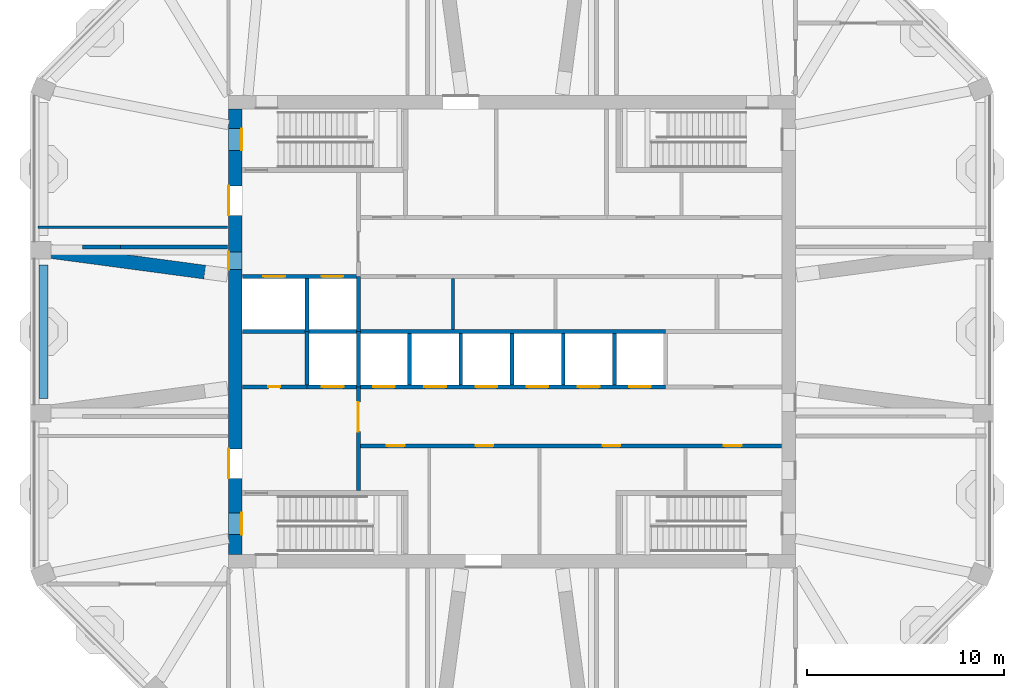
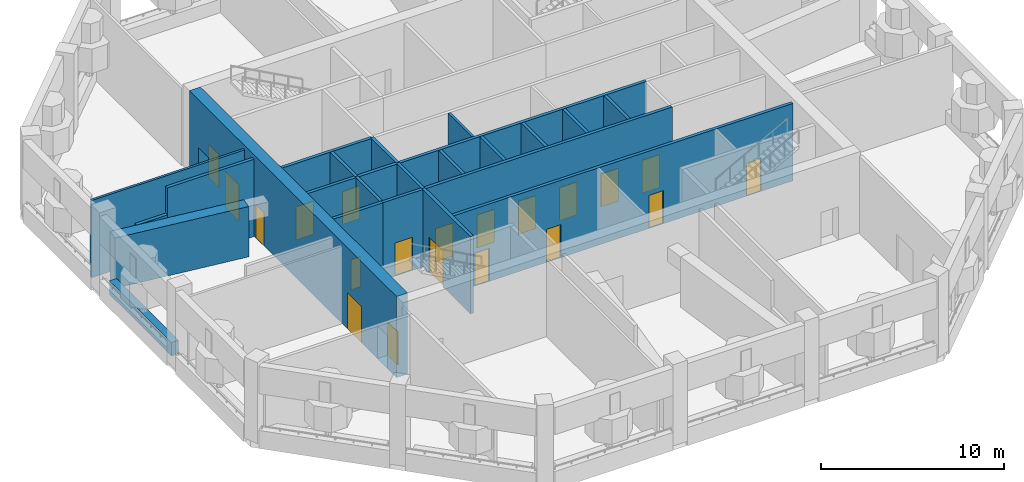
# One storey, part 3 of 9: 22 walls, 20 doors, 20 openings.
"""IFC4 building model written with IfcOpenShell, lengths in metres."""

import ifcopenshell
import ifcopenshell.guid

model = None  # the IFC model being written
_history = None  # IfcOwnerHistory: only IFC2X3 demands one
_inside = {}  # id of a spatial element -> (the spatial element, [elements in it])
_under = {}  # id of a project, library or spatial element -> (it, [spatial elements below it])
_declared = {}  # id of a project -> (the project, [libraries it declares])
_typed = {}  # id of a type object -> (the type object, [elements of that type])
_made_of = {}  # id of a material, layer set ... -> (it, [elements and type objects made of it])


def new_model(schema):
    """Start an empty IFC model of exactly this schema.

    Asked for "IFC4X3", IfcOpenShell would pick the latest addendum, in which some entities
    have other attributes; the version numbers below select the first issue.
    IFC2X3 requires an IfcOwnerHistory on every rooted entity: one is made here for all.
    """
    global model, _history
    if schema == "IFC4X3":
        model = ifcopenshell.file(schema_version=(4, 3, 0, 0))
    else:
        model = ifcopenshell.file(schema=schema)
    _inside.clear()
    _under.clear()
    _declared.clear()
    _typed.clear()
    _made_of.clear()
    _history = None
    if model.schema == "IFC2X3":
        org = make("IfcOrganization", Name="unknown")
        user = make(
            "IfcPersonAndOrganization",
            ThePerson=make("IfcPerson", FamilyName="unknown"),
            TheOrganization=org,
        )
        app = make(
            "IfcApplication",
            ApplicationDeveloper=org,
            Version="unknown",
            ApplicationFullName="unknown",
            ApplicationIdentifier="unknown",
        )
        _history = make(
            "IfcOwnerHistory",
            OwningUser=user,
            OwningApplication=app,
            ChangeAction="ADDED",
            CreationDate=0,
        )
    return model


def make(cls, **values):
    """One entity of the class cls with the attributes given. An attribute that is None is left unset."""
    return model.create_entity(
        cls, **{name: value for name, value in values.items() if value is not None}
    )


def rooted(cls, **values):
    """An entity with a GlobalId (a new one), such as an element, a storey or a relation."""
    return make(cls, GlobalId=ifcopenshell.guid.new(), OwnerHistory=_history, **values)


def si_unit(unit_type, name, prefix=None):
    """IfcSIUnit, for example si_unit("LENGTHUNIT", "METRE", prefix="MILLI")."""
    return make("IfcSIUnit", UnitType=unit_type, Prefix=prefix, Name=name)


def assignment(units):
    """IfcUnitAssignment: the units of a project."""
    return None if units is None else make("IfcUnitAssignment", Units=units)


def point(xyz):
    """IfcCartesianPoint."""
    return None if xyz is None else make("IfcCartesianPoint", Coordinates=xyz)


def direction(xyz):
    """IfcDirection."""
    return None if xyz is None else make("IfcDirection", DirectionRatios=xyz)


def frame(location, z_axis=None, x_axis=None):
    """IfcAxis2Placement3D, a coordinate frame: its origin and axes. An axis left out is left unset."""
    return make(
        "IfcAxis2Placement3D",
        Location=point(location),
        Axis=direction(z_axis),
        RefDirection=direction(x_axis),
    )


def frame_2d(location, x_axis=None):
    """IfcAxis2Placement2D, a coordinate frame in the plane: its origin and x axis."""
    return make(
        "IfcAxis2Placement2D", Location=point(location), RefDirection=direction(x_axis)
    )


def origin():
    """The frame at (0, 0, 0) with its axes left unset."""
    return frame((0.0, 0.0, 0.0))


def place(relative_to, where):
    """IfcLocalPlacement: puts the frame where relative to a parent placement (None: the world)."""
    return make(
        "IfcLocalPlacement", PlacementRelTo=relative_to, RelativePlacement=where
    )


def context(
    kind, dimensions, precision=None, world=None, true_north=None, identifier=None
):
    """IfcGeometricRepresentationContext, for example the 3D "Model" context."""
    return make(
        "IfcGeometricRepresentationContext",
        ContextIdentifier=identifier,
        ContextType=kind,
        CoordinateSpaceDimension=dimensions,
        Precision=precision,
        WorldCoordinateSystem=world,
        TrueNorth=true_north,
    )


def subcontext(parent, identifier, kind, view, scale=None):
    """IfcGeometricRepresentationSubContext, for example "Body" below "Model"."""
    return make(
        "IfcGeometricRepresentationSubContext",
        ContextIdentifier=identifier,
        ContextType=kind,
        ParentContext=parent,
        TargetScale=scale,
        TargetView=view,
    )


def project(units=None, contexts=None):
    """IfcProject with its units and contexts."""
    return rooted(
        "IfcProject",
        Name="project",
        RepresentationContexts=contexts,
        UnitsInContext=assignment(units),
    )


def spatial(cls, under=None, at=None, **own):
    """A site, building, storey or space (cls), placed at a placement, below another one or the project."""
    s = rooted(cls, ObjectPlacement=at, **own)
    if under is not None:
        _under.setdefault(under.id(), (under, []))[1].append(s)
    return s


def profile(cls, at=None, kind="AREA", **sizes):
    """A parametric profile (cls). Its sizes go by their IFC names, for example OverallWidth=200.0."""
    return make(cls, ProfileType=kind, Position=at, **sizes)


def rectangle(**sizes):
    """IfcRectangleProfileDef."""
    return profile("IfcRectangleProfileDef", **sizes)


def extrude(swept, where, along, depth):
    """IfcExtrudedAreaSolid: the profile swept, set in the frame where, extruded along a direction by depth."""
    return make(
        "IfcExtrudedAreaSolid",
        SweptArea=swept,
        Position=where,
        ExtrudedDirection=direction(along),
        Depth=depth,
    )


def shape(context_of_items, identifier, shape_type, items):
    """IfcShapeRepresentation: the items that make up one representation, for example the "Body"."""
    return make(
        "IfcShapeRepresentation",
        ContextOfItems=context_of_items,
        RepresentationIdentifier=identifier,
        RepresentationType=shape_type,
        Items=items,
    )


def material(Name=None, Category=None):
    """IfcMaterial."""
    return make("IfcMaterial", Name=Name, Category=Category)


def layer(
    of_material, thickness, ventilated=None, Name=None, Category=None, Priority=None
):
    """IfcMaterialLayer: one layer of a wall or slab, of a material (None: an air gap)."""
    return make(
        "IfcMaterialLayer",
        Material=of_material,
        LayerThickness=thickness,
        IsVentilated=ventilated,
        Name=Name,
        Category=Category,
        Priority=Priority,
    )


def layer_set(layers, Name=None):
    """IfcMaterialLayerSet."""
    return make("IfcMaterialLayerSet", MaterialLayers=layers, LayerSetName=Name)


def made_of(thing, what):
    """Note that an element or type object is made of a material, layer set ...; save() writes the relation."""
    if what is not None:
        _made_of.setdefault(what.id(), (what, []))[1].append(thing)
    return thing


def type_object(cls, material=None, **own):
    """A type object (cls), such as IfcWallType, which elements share."""
    return made_of(rooted(cls, **own), material)


def element(
    cls,
    number,
    at=None,
    inside=None,
    cuts=None,
    type_object=None,
    material=None,
    context=None,
    identifier="Body",
    shape_type=None,
    held_by="IfcProductDefinitionShape",
    body=None,
    shapes=None,
    **own,
):
    """One element of the class cls, such as IfcWall. Its Tag is "e" and its number.

    at: its placement. inside: the storey or other place that contains it. cuts: it is an
    opening in that element (IfcRelVoidsElement). A single representation is given by context,
    identifier, shape_type and body (its items); several are given by shapes. held_by: the class
    of the entity that holds the representations. save() writes the other relations.
    """
    e = rooted(cls, Tag="e%d" % number, ObjectPlacement=at, **own)
    if body is not None:
        shapes = [shape(context, identifier, shape_type, body)]
    if shapes is not None:
        e.Representation = make(held_by, Representations=shapes)
    if inside is not None:
        _inside.setdefault(inside.id(), (inside, []))[1].append(e)
    if cuts is not None:
        rooted(
            "IfcRelVoidsElement", RelatingBuildingElement=cuts, RelatedOpeningElement=e
        )
    if type_object is not None:
        _typed.setdefault(type_object.id(), (type_object, []))[1].append(e)
    return made_of(e, material)


def fill(opening, filler):
    """IfcRelFillsElement: the door or window that sits in an opening."""
    return rooted(
        "IfcRelFillsElement",
        RelatingOpeningElement=opening,
        RelatedBuildingElement=filler,
    )


def aggregate(whole, parts):
    """IfcRelAggregates: a whole, such as a stair, and the parts it consists of."""
    return rooted("IfcRelAggregates", RelatingObject=whole, RelatedObjects=parts)


def save(model, path):
    """Write the relations noted so far, then the file.

    IfcRelAggregates (storeys below a building ...), IfcRelContainedInSpatialStructure (elements
    in a storey), IfcRelDefinesByType, IfcRelAssociatesMaterial and IfcRelDeclares: one each for
    every whole, place, type object, material and project.
    """
    for whole, parts in _under.values():
        aggregate(whole, parts)
    for where, things in _inside.values():
        rooted(
            "IfcRelContainedInSpatialStructure",
            RelatedElements=things,
            RelatingStructure=where,
        )
    for kind, things in _typed.values():
        rooted("IfcRelDefinesByType", RelatedObjects=things, RelatingType=kind)
    for what, things in _made_of.values():
        rooted("IfcRelAssociatesMaterial", RelatedObjects=things, RelatingMaterial=what)
    for by, libraries in _declared.values():
        rooted("IfcRelDeclares", RelatingContext=by, RelatedDefinitions=libraries)
    model.write(path)


model = new_model("IFC4")

# Units and contexts
model_context = context("Model", 3, precision=1e-05, world=origin(), true_north=direction((0.0, 1.0)))
body_context = subcontext(model_context, "Body", "Model", "MODEL_VIEW")
ifc_project = project(units=[si_unit("LENGTHUNIT", "METRE"), si_unit("AREAUNIT", "SQUARE_METRE"), si_unit("VOLUMEUNIT", "CUBIC_METRE"), si_unit("PLANEANGLEUNIT", "RADIAN"), si_unit("MASSUNIT", "GRAM", prefix="KILO")], contexts=[model_context])

# Site, building, storey
site_placement = place(None, origin())
site = spatial("IfcSite", under=ifc_project, at=site_placement, CompositionType="ELEMENT")
building_placement = place(site_placement, origin())
building = spatial("IfcBuilding", under=site, at=building_placement, Name="Msitu Wima Residences", CompositionType="ELEMENT")
storey_placement = place(building_placement, frame((0.0, 0.0, 208.5)))
storey = spatial("IfcBuildingStorey", under=building, at=storey_placement, Name="L48", CompositionType="ELEMENT", Elevation=208.5)

# Wall
ifc_material_1 = material(Name="Facing brick")
ifc_layer_1 = layer(ifc_material_1, 0.06494140625, Name="Facing brick")
ifc_material_2 = material(Name="Concrete C40/50", Category="concrete")
ifc_layer_2 = layer(ifc_material_2, 0.156005859375, Name="Concrete C40/50")
ifc_material_3 = material(Name="Waterproofing membrane")
ifc_layer_3 = layer(ifc_material_3, 0.00390625, Name="Waterproofing membrane")
ifc_material_4 = material(Name="Planting soil and planting")
ifc_layer_4 = layer(ifc_material_4, 0.22509765625, Name="Planting soil and planting")
ifc_layer_set_1 = layer_set([ifc_layer_1, ifc_layer_2, ifc_layer_3, ifc_layer_4], Name="Concrete C40/50")
wall_type_1 = type_object("IfcWallType", Name="Balcony planter PLANTER PL450", PredefinedType="USERDEFINED", material=ifc_layer_set_1)
wall_1_placement = place(storey_placement, frame((-23.77490234375, 3.38720703125, 0.0), z_axis=(0.0, 0.0, 1.0), x_axis=(0.0, -1.0, 0.0)))
element("IfcWall", 1, at=wall_1_placement, inside=storey, type_object=wall_type_1, Name="Refuge planter L48 W1", ObjectType="PLANTER", PredefinedType="USERDEFINED", context=body_context, shape_type="SweptSolid", body=[
    extrude(rectangle(XDim=6.7744140625, YDim=0.449951171875, at=frame_2d((3.38720703125, 0.0))), origin(), (0.0, 0.0, 1.0), 0.89990234375),
])

# Wall, openings, doors
ifc_material_5 = material(Name="Concrete C60/75", Category="concrete")
ifc_layer_5 = layer(ifc_material_5, 0.699951171875)
ifc_layer_set_2 = layer_set([ifc_layer_5], Name="Concrete C60/75")
wall_type_2 = type_object("IfcWallType", Name="Core wall CW700 C60/75", PredefinedType="SHEAR", material=ifc_layer_set_2)
wall_2_placement = place(storey_placement, frame((-14.050048828125, -11.300048828125, 0.0), z_axis=(0.0, 0.0, 1.0), x_axis=(0.0, 1.0, 0.0)))
wall_2 = element("IfcWall", 2, at=wall_2_placement, inside=storey, type_object=wall_type_2, Name="Core wall", PredefinedType="SHEAR", context=body_context, shape_type="SweptSolid", body=[
    extrude(rectangle(XDim=22.60009765625, YDim=0.699951171875, at=frame_2d((11.300048828125, 0.0))), origin(), (0.0, 0.0, 1.0), 5.39990234375),
])
opening_1_placement = place(wall_2_placement, frame((17.199951171875, 0.0, 0.0)))
opening_1 = element("IfcOpeningElement", 3, at=opening_1_placement, cuts=wall_2, Name="Opening D48.030", PredefinedType="OPENING", context=body_context, shape_type="SweptSolid", body=[
    extrude(rectangle(XDim=1.5, YDim=2.39990234375, at=frame_2d((0.75, 1.199951171875))), frame((0.0, 0.35986328125, 0.0), z_axis=(0.0, -1.0, 0.0), x_axis=(1.0, 0.0, 0.0)), (0.0, 0.0, 1.0), 0.719970703125),
])
opening_2_placement = place(wall_2_placement, frame((20.5, 0.0, 0.0)))
opening_2 = element("IfcOpeningElement", 4, at=opening_2_placement, cuts=wall_2, Name="Opening D48.031", PredefinedType="OPENING", context=body_context, shape_type="SweptSolid", body=[
    extrude(rectangle(XDim=1.10009765625, YDim=2.199951171875, at=frame_2d((0.550048828125, 1.10009765625))), frame((0.0, 0.35986328125, 0.0), z_axis=(0.0, -1.0, 0.0), x_axis=(1.0, 0.0, 0.0)), (0.0, 0.0, 1.0), 0.719970703125),
])
opening_3_placement = place(wall_2_placement, frame((14.449951171875, 0.0, 0.0)))
opening_3 = element("IfcOpeningElement", 5, at=opening_3_placement, cuts=wall_2, Name="Opening D48.032", PredefinedType="OPENING", context=body_context, shape_type="SweptSolid", body=[
    extrude(rectangle(XDim=0.89990234375, YDim=2.199951171875, at=frame_2d((0.449951171875, 1.10009765625))), frame((0.0, 0.35986328125, 0.0), z_axis=(0.0, -1.0, 0.0), x_axis=(1.0, 0.0, 0.0)), (0.0, 0.0, 1.0), 0.719970703125),
])
opening_4_placement = place(wall_2_placement, frame((3.85009765625, 0.0, 0.0)))
opening_4 = element("IfcOpeningElement", 6, at=opening_4_placement, cuts=wall_2, Name="Opening D48.034", PredefinedType="OPENING", context=body_context, shape_type="SweptSolid", body=[
    extrude(rectangle(XDim=1.5, YDim=2.39990234375, at=frame_2d((0.75, 1.199951171875))), frame((0.0, 0.35986328125, 0.0), z_axis=(0.0, -1.0, 0.0), x_axis=(1.0, 0.0, 0.0)), (0.0, 0.0, 1.0), 0.719970703125),
])
opening_5_placement = place(wall_2_placement, frame((1.0, 0.0, 0.0)))
opening_5 = element("IfcOpeningElement", 7, at=opening_5_placement, cuts=wall_2, Name="Opening D48.035", PredefinedType="OPENING", context=body_context, shape_type="SweptSolid", body=[
    extrude(rectangle(XDim=1.10009765625, YDim=2.199951171875, at=frame_2d((0.550048828125, 1.10009765625))), frame((0.0, 0.35986328125, 0.0), z_axis=(0.0, -1.0, 0.0), x_axis=(1.0, 0.0, 0.0)), (0.0, 0.0, 1.0), 0.719970703125),
])
ifc_material_6 = material(Name="Steel framed glazed door, fire resisting", Category="steel")
door_type_1 = type_object("IfcDoorType", Name="Lobby door D07 1500x2400", OperationType="DOUBLE_DOOR_SINGLE_SWING", PredefinedType="DOOR", material=ifc_material_6)
door_1_placement = place(opening_1_placement, origin())
door_1 = element("IfcDoor", 8, at=door_1_placement, inside=storey, type_object=door_type_1, Name="Lobby door", OperationType="DOUBLE_DOOR_SINGLE_SWING", OverallHeight=2.39990234375, OverallWidth=1.5, PredefinedType="DOOR", context=body_context, shape_type="SweptSolid", body=[
    extrude(rectangle(XDim=1.5, YDim=2.39990234375, at=frame_2d((0.75, 1.199951171875))), frame((0.0, 0.34521484375, 0.0), z_axis=(0.0, -1.0, 0.0), x_axis=(1.0, 0.0, 0.0)), (0.0, 0.0, 1.0), 0.050048828125),
])
fill(opening_1, door_1)
door_2_placement = place(opening_4_placement, origin())
door_2 = element("IfcDoor", 9, at=door_2_placement, inside=storey, type_object=door_type_1, Name="Lobby door", OperationType="DOUBLE_DOOR_SINGLE_SWING", OverallHeight=2.39990234375, OverallWidth=1.5, PredefinedType="DOOR", context=body_context, shape_type="SweptSolid", body=[
    extrude(rectangle(XDim=1.5, YDim=2.39990234375, at=frame_2d((0.75, 1.199951171875))), frame((0.0, 0.34521484375, 0.0), z_axis=(0.0, -1.0, 0.0), x_axis=(1.0, 0.0, 0.0)), (0.0, 0.0, 1.0), 0.050048828125),
])
fill(opening_4, door_2)
ifc_material_7 = material(Name="Timber flush door", Category="wood")
door_type_2 = type_object("IfcDoorType", Name="Service door D05 900x2200", OperationType="SINGLE_SWING_LEFT", PredefinedType="DOOR", material=ifc_material_7)
door_3_placement = place(opening_3_placement, origin())
door_3 = element("IfcDoor", 10, at=door_3_placement, inside=storey, type_object=door_type_2, Name="Service door", OperationType="SINGLE_SWING_RIGHT", OverallHeight=2.199951171875, OverallWidth=0.89990234375, PredefinedType="DOOR", context=body_context, shape_type="SweptSolid", body=[
    extrude(rectangle(XDim=0.89990234375, YDim=2.199951171875, at=frame_2d((0.449951171875, 1.10009765625))), frame((0.0, 0.34521484375, 0.0), z_axis=(0.0, -1.0, 0.0), x_axis=(1.0, 0.0, 0.0)), (0.0, 0.0, 1.0), 0.050048828125),
])
fill(opening_3, door_3)
ifc_material_8 = material(Name="Steel door, fire resisting, panic bar", Category="steel")
door_type_3 = type_object("IfcDoorType", Name="Stair door D06 1100x2200", OperationType="SINGLE_SWING_LEFT", PredefinedType="DOOR", material=ifc_material_8)
door_4_placement = place(opening_2_placement, origin())
door_4 = element("IfcDoor", 11, at=door_4_placement, inside=storey, type_object=door_type_3, Name="Stair door", OperationType="SINGLE_SWING_RIGHT", OverallHeight=2.199951171875, OverallWidth=1.10009765625, PredefinedType="DOOR", context=body_context, shape_type="SweptSolid", body=[
    extrude(rectangle(XDim=1.10009765625, YDim=2.199951171875, at=frame_2d((0.550048828125, 1.10009765625))), frame((0.0, -0.294921875, 0.0), z_axis=(0.0, -1.0, 0.0), x_axis=(1.0, 0.0, 0.0)), (0.0, 0.0, 1.0), 0.050048828125),
])
fill(opening_2, door_4)
door_5_placement = place(opening_5_placement, origin())
door_5 = element("IfcDoor", 12, at=door_5_placement, inside=storey, type_object=door_type_3, Name="Stair door", OperationType="SINGLE_SWING_LEFT", OverallHeight=2.199951171875, OverallWidth=1.10009765625, PredefinedType="DOOR", context=body_context, shape_type="SweptSolid", body=[
    extrude(rectangle(XDim=1.10009765625, YDim=2.199951171875, at=frame_2d((0.550048828125, 1.10009765625))), frame((0.0, -0.294921875, 0.0), z_axis=(0.0, -1.0, 0.0), x_axis=(1.0, 0.0, 0.0)), (0.0, 0.0, 1.0), 0.050048828125),
])
fill(opening_5, door_5)

# Wall, opening, door
ifc_material_9 = material(Name="Plaster")
ifc_layer_6 = layer(ifc_material_9, 0.011962890625, Name="Plaster")
ifc_material_10 = material(Name="Concrete blockwork", Category="masonry")
ifc_layer_7 = layer(ifc_material_10, 0.176025390625, Name="Concrete blockwork")
ifc_layer_8 = layer(ifc_material_9, 0.011962890625, Name="Plaster")
ifc_layer_set_3 = layer_set([ifc_layer_6, ifc_layer_7, ifc_layer_8], Name="Concrete blockwork")
wall_type_3 = type_object("IfcWallType", Name="Corridor wall FW200", PredefinedType="PARTITIONING", material=ifc_layer_set_3)
wall_3_placement = place(storey_placement, frame((-7.800048828125, -8.074951171875, 0.0), z_axis=(0.0, 0.0, 1.0), x_axis=(0.0, 1.0, 0.0)))
wall_3 = element("IfcWall", 13, at=wall_3_placement, inside=storey, type_object=wall_type_3, Name="Corridor wall", PredefinedType="PARTITIONING", context=body_context, shape_type="SweptSolid", body=[
    extrude(rectangle(XDim=5.27490234375, YDim=0.199951171875, at=frame_2d((2.637451171875, 0.0))), origin(), (0.0, 0.0, 1.0), 5.14990234375),
])
opening_6_placement = place(wall_3_placement, frame((3.0, 0.0, 0.0)))
opening_6 = element("IfcOpeningElement", 14, at=opening_6_placement, cuts=wall_3, Name="Opening D48.003", PredefinedType="OPENING", context=body_context, shape_type="SweptSolid", body=[
    extrude(rectangle(XDim=1.5, YDim=2.39990234375, at=frame_2d((0.75, 1.199951171875))), frame((0.0, 0.10986328125, 0.0), z_axis=(0.0, -1.0, 0.0), x_axis=(1.0, 0.0, 0.0)), (0.0, 0.0, 1.0), 0.219970703125),
])
door_6_placement = place(opening_6_placement, origin())
door_6 = element("IfcDoor", 15, at=door_6_placement, inside=storey, type_object=door_type_1, Name="Lobby door", OperationType="DOUBLE_DOOR_SINGLE_SWING", OverallHeight=2.39990234375, OverallWidth=1.5, PredefinedType="DOOR", context=body_context, shape_type="SweptSolid", body=[
    extrude(rectangle(XDim=1.5, YDim=2.39990234375, at=frame_2d((0.75, 1.199951171875))), frame((0.0, 0.02490234375, 0.0), z_axis=(0.0, -1.0, 0.0), x_axis=(1.0, 0.0, 0.0)), (0.0, 0.0, 1.0), 0.050048828125),
])
fill(opening_6, door_6)

# Wall, openings, doors
wall_4_placement = place(storey_placement, frame((-7.699951171875, -5.800048828125, 0.0), z_axis=(0.0, 0.0, 1.0), x_axis=(1.0, 0.0, 0.0)))
wall_4 = element("IfcWall", 16, at=wall_4_placement, inside=storey, type_object=wall_type_3, Name="Corridor wall", PredefinedType="PARTITIONING", context=body_context, shape_type="SweptSolid", body=[
    extrude(rectangle(XDim=21.369873046875, YDim=0.199951171875, at=frame_2d((10.68505859375, 0.0))), origin(), (0.0, 0.0, 1.0), 5.14990234375),
])
opening_7_placement = place(wall_4_placement, frame((1.35009765625, 0.0, 0.0)))
opening_7 = element("IfcOpeningElement", 17, at=opening_7_placement, cuts=wall_4, Name="Opening D48.009", PredefinedType="OPENING", context=body_context, shape_type="SweptSolid", body=[
    extrude(rectangle(XDim=0.89990234375, YDim=2.199951171875, at=frame_2d((0.449951171875, 1.10009765625))), frame((0.0, 0.10986328125, 0.0), z_axis=(0.0, -1.0, 0.0), x_axis=(1.0, 0.0, 0.0)), (0.0, 0.0, 1.0), 0.219970703125),
])
opening_8_placement = place(wall_4_placement, frame((5.85009765625, 0.0, 0.0)))
opening_8 = element("IfcOpeningElement", 18, at=opening_8_placement, cuts=wall_4, Name="Opening D48.010", PredefinedType="OPENING", context=body_context, shape_type="SweptSolid", body=[
    extrude(rectangle(XDim=0.89990234375, YDim=2.199951171875, at=frame_2d((0.449951171875, 1.10009765625))), frame((0.0, 0.10986328125, 0.0), z_axis=(0.0, -1.0, 0.0), x_axis=(1.0, 0.0, 0.0)), (0.0, 0.0, 1.0), 0.219970703125),
])
opening_9_placement = place(wall_4_placement, frame((12.300048828125, 0.0, 0.0)))
opening_9 = element("IfcOpeningElement", 19, at=opening_9_placement, cuts=wall_4, Name="Opening D48.011", PredefinedType="OPENING", context=body_context, shape_type="SweptSolid", body=[
    extrude(rectangle(XDim=0.89990234375, YDim=2.199951171875, at=frame_2d((0.449951171875, 1.10009765625))), frame((0.0, 0.10986328125, 0.0), z_axis=(0.0, -1.0, 0.0), x_axis=(1.0, 0.0, 0.0)), (0.0, 0.0, 1.0), 0.219970703125),
])
opening_10_placement = place(wall_4_placement, frame((18.449951171875, 0.0, 0.0)))
opening_10 = element("IfcOpeningElement", 20, at=opening_10_placement, cuts=wall_4, Name="Opening D48.012", PredefinedType="OPENING", context=body_context, shape_type="SweptSolid", body=[
    extrude(rectangle(XDim=0.89990234375, YDim=2.199951171875, at=frame_2d((0.449951171875, 1.10009765625))), frame((0.0, 0.10986328125, 0.0), z_axis=(0.0, -1.0, 0.0), x_axis=(1.0, 0.0, 0.0)), (0.0, 0.0, 1.0), 0.219970703125),
])
door_7_placement = place(opening_7_placement, origin())
door_7 = element("IfcDoor", 21, at=door_7_placement, inside=storey, type_object=door_type_2, Name="Service door", OperationType="SINGLE_SWING_LEFT", OverallHeight=2.199951171875, OverallWidth=0.89990234375, PredefinedType="DOOR", context=body_context, shape_type="SweptSolid", body=[
    extrude(rectangle(XDim=0.89990234375, YDim=2.199951171875, at=frame_2d((0.449951171875, 1.10009765625))), frame((0.0, 0.02490234375, 0.0), z_axis=(0.0, -1.0, 0.0), x_axis=(1.0, 0.0, 0.0)), (0.0, 0.0, 1.0), 0.050048828125),
])
fill(opening_7, door_7)
door_8_placement = place(opening_8_placement, origin())
door_8 = element("IfcDoor", 22, at=door_8_placement, inside=storey, type_object=door_type_2, Name="Service door", OperationType="SINGLE_SWING_RIGHT", OverallHeight=2.199951171875, OverallWidth=0.89990234375, PredefinedType="DOOR", context=body_context, shape_type="SweptSolid", body=[
    extrude(rectangle(XDim=0.89990234375, YDim=2.199951171875, at=frame_2d((0.449951171875, 1.10009765625))), frame((0.0, 0.02490234375, 0.0), z_axis=(0.0, -1.0, 0.0), x_axis=(1.0, 0.0, 0.0)), (0.0, 0.0, 1.0), 0.050048828125),
])
fill(opening_8, door_8)
door_9_placement = place(opening_9_placement, origin())
door_9 = element("IfcDoor", 23, at=door_9_placement, inside=storey, type_object=door_type_2, Name="Service door", OperationType="SINGLE_SWING_LEFT", OverallHeight=2.199951171875, OverallWidth=0.89990234375, PredefinedType="DOOR", context=body_context, shape_type="SweptSolid", body=[
    extrude(rectangle(XDim=0.89990234375, YDim=2.199951171875, at=frame_2d((0.449951171875, 1.10009765625))), frame((0.0, 0.02490234375, 0.0), z_axis=(0.0, -1.0, 0.0), x_axis=(1.0, 0.0, 0.0)), (0.0, 0.0, 1.0), 0.050048828125),
])
fill(opening_9, door_9)
door_10_placement = place(opening_10_placement, origin())
door_10 = element("IfcDoor", 24, at=door_10_placement, inside=storey, type_object=door_type_2, Name="Service door", OperationType="SINGLE_SWING_RIGHT", OverallHeight=2.199951171875, OverallWidth=0.89990234375, PredefinedType="DOOR", context=body_context, shape_type="SweptSolid", body=[
    extrude(rectangle(XDim=0.89990234375, YDim=2.199951171875, at=frame_2d((0.449951171875, 1.10009765625))), frame((0.0, 0.02490234375, 0.0), z_axis=(0.0, -1.0, 0.0), x_axis=(1.0, 0.0, 0.0)), (0.0, 0.0, 1.0), 0.050048828125),
])
fill(opening_10, door_10)

# Walls
ifc_material_11 = material(Name="Concrete C80/95", Category="concrete")
ifc_layer_9 = layer(ifc_material_11, 0.699951171875)
ifc_layer_set_4 = layer_set([ifc_layer_9], Name="Concrete C80/95")
wall_type_4 = type_object("IfcWallType", Name="Outrigger wall 700 Concrete C80/95", PredefinedType="SHEAR", material=ifc_layer_set_4)
wall_5_placement = place(storey_placement, frame((-15.58935546875, 3.021240234375, 0.0), z_axis=(0.0, 0.0, 1.0), x_axis=(-0.991157137801, 0.132693361503, 0.0)))
element("IfcWall", 25, at=wall_5_placement, inside=storey, type_object=wall_type_4, Name="Outrigger wall L48 C-W1", PredefinedType="SHEAR", context=body_context, shape_type="SweptSolid", body=[
    extrude(rectangle(XDim=7.880126953125, YDim=0.699951171875, at=frame_2d((3.93994140625, 0.0))), origin(), (0.0, 0.0, 1.0), 3.35009765625),
])
ifc_layer_10 = layer(ifc_material_9, 0.011962890625, Name="Plaster")
ifc_layer_11 = layer(ifc_material_10, 0.1259765625, Name="Concrete blockwork")
ifc_layer_12 = layer(ifc_material_9, 0.011962890625, Name="Plaster")
ifc_layer_set_5 = layer_set([ifc_layer_10, ifc_layer_11, ifc_layer_12], Name="Concrete blockwork")
wall_type_5 = type_object("IfcWallType", Name="Partition PW150", PredefinedType="PARTITIONING", material=ifc_layer_set_5)
wall_6_placement = place(storey_placement, frame((-24.054931640625, 5.300048828125, 0.0), z_axis=(0.0, 0.0, 1.0), x_axis=(1.0, 0.0, 0.0)))
element("IfcWall", 26, at=wall_6_placement, inside=storey, type_object=wall_type_5, Name="Partition", PredefinedType="PARTITIONING", context=body_context, shape_type="SweptSolid", body=[
    extrude(rectangle(XDim=9.625, YDim=0.14990234375, at=frame_2d((4.8125, 0.0))), origin(), (0.0, 0.0, 1.0), 5.14990234375),
])
wall_7_placement = place(storey_placement, frame((-3.0, 0.10009765625, 0.0), z_axis=(0.0, 0.0, 1.0), x_axis=(0.0, 1.0, 0.0)))
element("IfcWall", 27, at=wall_7_placement, inside=storey, type_object=wall_type_5, Name="Partition", PredefinedType="PARTITIONING", context=body_context, shape_type="SweptSolid", body=[
    extrude(rectangle(XDim=2.599853515625, YDim=0.14990234375, at=frame_2d((1.2998046875, 0.0))), origin(), (0.0, 0.0, 1.0), 5.14990234375),
])
ifc_layer_13 = layer(ifc_material_9, 0.011962890625, Name="Plaster")
ifc_material_12 = material(Name="Reinforced concrete blockwork", Category="masonry")
ifc_layer_14 = layer(ifc_material_12, 0.176025390625, Name="Reinforced concrete blockwork")
ifc_layer_15 = layer(ifc_material_9, 0.011962890625, Name="Plaster")
ifc_layer_set_6 = layer_set([ifc_layer_13, ifc_layer_14, ifc_layer_15], Name="Reinforced concrete blockwork")
wall_type_6 = type_object("IfcWallType", Name="Plant and riser wall PL200", PredefinedType="PARTITIONING", material=ifc_layer_set_6)
wall_8_placement = place(storey_placement, frame((-21.802978515625, 4.300048828125, 0.0), z_axis=(0.0, 0.0, 1.0), x_axis=(1.0, 0.0, 0.0)))
element("IfcWall", 28, at=wall_8_placement, inside=storey, type_object=wall_type_6, Name="Plant and riser wall", PredefinedType="PARTITIONING", context=body_context, shape_type="SweptSolid", body=[
    extrude(rectangle(XDim=1.9306640625, YDim=0.199951171875, at=frame_2d((0.96533203125, 0.0))), origin(), (0.0, 0.0, 1.0), 3.35009765625),
])
wall_9_placement = place(storey_placement, frame((-19.872314453125, 4.300048828125, 0.0), z_axis=(0.0, 0.0, 1.0), x_axis=(1.0, 0.0, 0.0)))
element("IfcWall", 29, at=wall_9_placement, inside=storey, type_object=wall_type_6, Name="Plant and riser wall", PredefinedType="PARTITIONING", context=body_context, shape_type="SweptSolid", body=[
    extrude(rectangle(XDim=5.4423828125, YDim=0.199951171875, at=frame_2d((2.72119140625, 0.0))), origin(), (0.0, 0.0, 1.0), 5.14990234375),
])

# Wall, opening, door
wall_10_placement = place(storey_placement, frame((-13.669921875, -2.800048828125, 0.0), z_axis=(0.0, 0.0, 1.0), x_axis=(1.0, 0.0, 0.0)))
wall_10 = element("IfcWall", 30, at=wall_10_placement, inside=storey, type_object=wall_type_6, Name="Plant and riser wall", PredefinedType="PARTITIONING", context=body_context, shape_type="SweptSolid", body=[
    extrude(rectangle(XDim=3.27001953125, YDim=0.199951171875, at=frame_2d((1.635009765625, 0.0))), origin(), (0.0, 0.0, 1.0), 5.14990234375),
])
opening_11_placement = place(wall_10_placement, frame((1.300048828125, 0.0, 0.0)))
opening_11 = element("IfcOpeningElement", 31, at=opening_11_placement, cuts=wall_10, Name="Opening D48.017", PredefinedType="OPENING", context=body_context, shape_type="SweptSolid", body=[
    extrude(rectangle(XDim=0.60009765625, YDim=2.0, at=frame_2d((0.300048828125, 1.0))), frame((0.0, 0.10986328125, 0.0), z_axis=(0.0, -1.0, 0.0), x_axis=(1.0, 0.0, 0.0)), (0.0, 0.0, 1.0), 0.219970703125),
])
ifc_material_13 = material(Name="Steel access door, fire resisting", Category="steel")
door_type_4 = type_object("IfcDoorType", Name="Riser access door D08 600x2000", OperationType="SINGLE_SWING_LEFT", PredefinedType="DOOR", material=ifc_material_13)
door_11_placement = place(opening_11_placement, origin())
door_11 = element("IfcDoor", 32, at=door_11_placement, inside=storey, type_object=door_type_4, Name="Riser access door", OperationType="SINGLE_SWING_RIGHT", OverallHeight=2.0, OverallWidth=0.60009765625, PredefinedType="DOOR", context=body_context, shape_type="SweptSolid", body=[
    extrude(rectangle(XDim=0.60009765625, YDim=2.0, at=frame_2d((0.300048828125, 1.0))), frame((0.0, 0.02490234375, 0.0), z_axis=(0.0, -1.0, 0.0), x_axis=(1.0, 0.0, 0.0)), (0.0, 0.0, 1.0), 0.050048828125),
])
fill(opening_11, door_11)

# Wall
ifc_material_14 = material(Name="Fire-rated board")
ifc_layer_16 = layer(ifc_material_14, 0.02490234375, Name="Fire-rated board")
ifc_material_15 = material(Name="Light-gauge stud framing with mineral wool")
ifc_layer_17 = layer(ifc_material_15, 0.14990234375, Name="Light-gauge stud framing with mineral wool")
ifc_layer_18 = layer(ifc_material_14, 0.02490234375, Name="Fire-rated board")
ifc_layer_set_7 = layer_set([ifc_layer_16, ifc_layer_17, ifc_layer_18], Name="Light-gauge stud framing with mineral wool")
wall_type_7 = type_object("IfcWallType", Name="Shaft wall SH200", PredefinedType="PARTITIONING", material=ifc_layer_set_7)
wall_11_placement = place(storey_placement, frame((-13.669921875, 0.0, 0.0), z_axis=(0.0, 0.0, 1.0), x_axis=(1.0, 0.0, 0.0)))
element("IfcWall", 33, at=wall_11_placement, inside=storey, type_object=wall_type_7, Name="Shaft wall", PredefinedType="PARTITIONING", context=body_context, shape_type="SweptSolid", body=[
    extrude(rectangle(XDim=21.469970703125, YDim=0.199951171875, at=frame_2d((10.73486328125, 0.0))), origin(), (0.0, 0.0, 1.0), 5.14990234375),
])

# Wall, openings, doors
wall_12_placement = place(storey_placement, frame((-13.669921875, 2.800048828125, 0.0), z_axis=(0.0, 0.0, 1.0), x_axis=(1.0, 0.0, 0.0)))
wall_12 = element("IfcWall", 34, at=wall_12_placement, inside=storey, type_object=wall_type_7, Name="Shaft wall", PredefinedType="PARTITIONING", context=body_context, shape_type="SweptSolid", body=[
    extrude(rectangle(XDim=5.849853515625, YDim=0.199951171875, at=frame_2d((2.9248046875, 0.0))), origin(), (0.0, 0.0, 1.0), 5.14990234375),
])
opening_12_placement = place(wall_12_placement, frame((1.050048828125, 0.0, 0.0)))
opening_12 = element("IfcOpeningElement", 35, at=opening_12_placement, cuts=wall_12, Name="Opening LD", PredefinedType="OPENING", context=body_context, shape_type="SweptSolid", body=[
    extrude(rectangle(XDim=1.10009765625, YDim=2.199951171875, at=frame_2d((0.550048828125, 1.10009765625))), frame((0.0, 0.10986328125, 0.0), z_axis=(0.0, -1.0, 0.0), x_axis=(1.0, 0.0, 0.0)), (0.0, 0.0, 1.0), 0.219970703125),
])
opening_13_placement = place(wall_12_placement, frame((4.0, 0.0, 0.0)))
opening_13 = element("IfcOpeningElement", 36, at=opening_13_placement, cuts=wall_12, Name="Opening LD", PredefinedType="OPENING", context=body_context, shape_type="SweptSolid", body=[
    extrude(rectangle(XDim=1.10009765625, YDim=2.199951171875, at=frame_2d((0.550048828125, 1.10009765625))), frame((0.0, 0.10986328125, 0.0), z_axis=(0.0, -1.0, 0.0), x_axis=(1.0, 0.0, 0.0)), (0.0, 0.0, 1.0), 0.219970703125),
])
ifc_material_16 = material(Name="Stainless steel centre-opening landing door, rated", Category="steel")
door_type_5 = type_object("IfcDoorType", Name="Lift landing door LD 1100x2200", OperationType="DOUBLE_DOOR_SLIDING", PredefinedType="DOOR", material=ifc_material_16)
door_12_placement = place(opening_12_placement, origin())
door_12 = element("IfcDoor", 37, at=door_12_placement, inside=storey, type_object=door_type_5, Name="Lift landing door LD1", OperationType="DOUBLE_DOOR_SLIDING", OverallHeight=2.199951171875, OverallWidth=1.10009765625, PredefinedType="DOOR", context=body_context, shape_type="SweptSolid", body=[
    extrude(rectangle(XDim=1.10009765625, YDim=2.199951171875, at=frame_2d((0.550048828125, 1.10009765625))), frame((0.0, 0.02490234375, 0.0), z_axis=(0.0, -1.0, 0.0), x_axis=(1.0, 0.0, 0.0)), (0.0, 0.0, 1.0), 0.050048828125),
])
fill(opening_12, door_12)
door_13_placement = place(opening_13_placement, origin())
door_13 = element("IfcDoor", 38, at=door_13_placement, inside=storey, type_object=door_type_5, Name="Lift landing door LD2", OperationType="DOUBLE_DOOR_SLIDING", OverallHeight=2.199951171875, OverallWidth=1.10009765625, PredefinedType="DOOR", context=body_context, shape_type="SweptSolid", body=[
    extrude(rectangle(XDim=1.10009765625, YDim=2.199951171875, at=frame_2d((0.550048828125, 1.10009765625))), frame((0.0, 0.02490234375, 0.0), z_axis=(0.0, -1.0, 0.0), x_axis=(1.0, 0.0, 0.0)), (0.0, 0.0, 1.0), 0.050048828125),
])
fill(opening_13, door_13)

# Wall
wall_13_placement = place(storey_placement, frame((-10.39990234375, -2.699951171875, 0.0), z_axis=(0.0, 0.0, 1.0), x_axis=(0.0, 1.0, 0.0)))
element("IfcWall", 39, at=wall_13_placement, inside=storey, type_object=wall_type_7, Name="Shaft wall", PredefinedType="PARTITIONING", context=body_context, shape_type="SweptSolid", body=[
    extrude(rectangle(XDim=2.699951171875, YDim=0.199951171875, at=frame_2d((1.35009765625, 0.0))), origin(), (0.0, 0.0, 1.0), 5.14990234375),
])

# Wall, openings, doors
wall_14_placement = place(storey_placement, frame((-10.39990234375, -2.800048828125, 0.0), z_axis=(0.0, 0.0, 1.0), x_axis=(1.0, 0.0, 0.0)))
wall_14 = element("IfcWall", 40, at=wall_14_placement, inside=storey, type_object=wall_type_7, Name="Shaft wall", PredefinedType="PARTITIONING", context=body_context, shape_type="SweptSolid", body=[
    extrude(rectangle(XDim=18.199951171875, YDim=0.199951171875, at=frame_2d((9.10009765625, 0.0))), origin(), (0.0, 0.0, 1.0), 5.14990234375),
])
opening_14_placement = place(wall_14_placement, frame((0.75, 0.0, 0.0)))
opening_14 = element("IfcOpeningElement", 41, at=opening_14_placement, cuts=wall_14, Name="Opening LD", PredefinedType="OPENING", context=body_context, shape_type="SweptSolid", body=[
    extrude(rectangle(XDim=1.10009765625, YDim=2.199951171875, at=frame_2d((0.550048828125, 1.10009765625))), frame((0.0, 0.10986328125, 0.0), z_axis=(0.0, -1.0, 0.0), x_axis=(1.0, 0.0, 0.0)), (0.0, 0.0, 1.0), 0.219970703125),
])
opening_15_placement = place(wall_14_placement, frame((3.35009765625, 0.0, 0.0)))
opening_15 = element("IfcOpeningElement", 42, at=opening_15_placement, cuts=wall_14, Name="Opening LD", PredefinedType="OPENING", context=body_context, shape_type="SweptSolid", body=[
    extrude(rectangle(XDim=1.10009765625, YDim=2.199951171875, at=frame_2d((0.550048828125, 1.10009765625))), frame((0.0, 0.10986328125, 0.0), z_axis=(0.0, -1.0, 0.0), x_axis=(1.0, 0.0, 0.0)), (0.0, 0.0, 1.0), 0.219970703125),
])
opening_16_placement = place(wall_14_placement, frame((5.949951171875, 0.0, 0.0)))
opening_16 = element("IfcOpeningElement", 43, at=opening_16_placement, cuts=wall_14, Name="Opening LD", PredefinedType="OPENING", context=body_context, shape_type="SweptSolid", body=[
    extrude(rectangle(XDim=1.10009765625, YDim=2.199951171875, at=frame_2d((0.550048828125, 1.10009765625))), frame((0.0, 0.10986328125, 0.0), z_axis=(0.0, -1.0, 0.0), x_axis=(1.0, 0.0, 0.0)), (0.0, 0.0, 1.0), 0.219970703125),
])
opening_17_placement = place(wall_14_placement, frame((8.550048828125, 0.0, 0.0)))
opening_17 = element("IfcOpeningElement", 44, at=opening_17_placement, cuts=wall_14, Name="Opening LD", PredefinedType="OPENING", context=body_context, shape_type="SweptSolid", body=[
    extrude(rectangle(XDim=1.10009765625, YDim=2.199951171875, at=frame_2d((0.550048828125, 1.10009765625))), frame((0.0, 0.10986328125, 0.0), z_axis=(0.0, -1.0, 0.0), x_axis=(1.0, 0.0, 0.0)), (0.0, 0.0, 1.0), 0.219970703125),
])
opening_18_placement = place(wall_14_placement, frame((11.14990234375, 0.0, 0.0)))
opening_18 = element("IfcOpeningElement", 45, at=opening_18_placement, cuts=wall_14, Name="Opening LD", PredefinedType="OPENING", context=body_context, shape_type="SweptSolid", body=[
    extrude(rectangle(XDim=1.10009765625, YDim=2.199951171875, at=frame_2d((0.550048828125, 1.10009765625))), frame((0.0, 0.10986328125, 0.0), z_axis=(0.0, -1.0, 0.0), x_axis=(1.0, 0.0, 0.0)), (0.0, 0.0, 1.0), 0.219970703125),
])
opening_19_placement = place(wall_14_placement, frame((13.75, 0.0, 0.0)))
opening_19 = element("IfcOpeningElement", 46, at=opening_19_placement, cuts=wall_14, Name="Opening LD", PredefinedType="OPENING", context=body_context, shape_type="SweptSolid", body=[
    extrude(rectangle(XDim=1.10009765625, YDim=2.199951171875, at=frame_2d((0.550048828125, 1.10009765625))), frame((0.0, 0.10986328125, 0.0), z_axis=(0.0, -1.0, 0.0), x_axis=(1.0, 0.0, 0.0)), (0.0, 0.0, 1.0), 0.219970703125),
])
opening_20_placement = place(wall_14_placement, frame((16.35009765625, 0.0, 0.0)))
opening_20 = element("IfcOpeningElement", 47, at=opening_20_placement, cuts=wall_14, Name="Opening LD", PredefinedType="OPENING", context=body_context, shape_type="SweptSolid", body=[
    extrude(rectangle(XDim=1.10009765625, YDim=2.199951171875, at=frame_2d((0.550048828125, 1.10009765625))), frame((0.0, 0.10986328125, 0.0), z_axis=(0.0, -1.0, 0.0), x_axis=(1.0, 0.0, 0.0)), (0.0, 0.0, 1.0), 0.219970703125),
])
door_14_placement = place(opening_14_placement, origin())
door_14 = element("IfcDoor", 48, at=door_14_placement, inside=storey, type_object=door_type_5, Name="Lift landing door LD3", OperationType="DOUBLE_DOOR_SLIDING", OverallHeight=2.199951171875, OverallWidth=1.10009765625, PredefinedType="DOOR", context=body_context, shape_type="SweptSolid", body=[
    extrude(rectangle(XDim=1.10009765625, YDim=2.199951171875, at=frame_2d((0.550048828125, 1.10009765625))), frame((0.0, 0.02490234375, 0.0), z_axis=(0.0, -1.0, 0.0), x_axis=(1.0, 0.0, 0.0)), (0.0, 0.0, 1.0), 0.050048828125),
])
fill(opening_14, door_14)
door_15_placement = place(opening_15_placement, origin())
door_15 = element("IfcDoor", 49, at=door_15_placement, inside=storey, type_object=door_type_5, Name="Lift landing door LD5", OperationType="DOUBLE_DOOR_SLIDING", OverallHeight=2.199951171875, OverallWidth=1.10009765625, PredefinedType="DOOR", context=body_context, shape_type="SweptSolid", body=[
    extrude(rectangle(XDim=1.10009765625, YDim=2.199951171875, at=frame_2d((0.550048828125, 1.10009765625))), frame((0.0, 0.02490234375, 0.0), z_axis=(0.0, -1.0, 0.0), x_axis=(1.0, 0.0, 0.0)), (0.0, 0.0, 1.0), 0.050048828125),
])
fill(opening_15, door_15)
door_16_placement = place(opening_16_placement, origin())
door_16 = element("IfcDoor", 50, at=door_16_placement, inside=storey, type_object=door_type_5, Name="Lift landing door LD7", OperationType="DOUBLE_DOOR_SLIDING", OverallHeight=2.199951171875, OverallWidth=1.10009765625, PredefinedType="DOOR", context=body_context, shape_type="SweptSolid", body=[
    extrude(rectangle(XDim=1.10009765625, YDim=2.199951171875, at=frame_2d((0.550048828125, 1.10009765625))), frame((0.0, 0.02490234375, 0.0), z_axis=(0.0, -1.0, 0.0), x_axis=(1.0, 0.0, 0.0)), (0.0, 0.0, 1.0), 0.050048828125),
])
fill(opening_16, door_16)
door_17_placement = place(opening_17_placement, origin())
door_17 = element("IfcDoor", 51, at=door_17_placement, inside=storey, type_object=door_type_5, Name="Lift landing door LD9", OperationType="DOUBLE_DOOR_SLIDING", OverallHeight=2.199951171875, OverallWidth=1.10009765625, PredefinedType="DOOR", context=body_context, shape_type="SweptSolid", body=[
    extrude(rectangle(XDim=1.10009765625, YDim=2.199951171875, at=frame_2d((0.550048828125, 1.10009765625))), frame((0.0, 0.02490234375, 0.0), z_axis=(0.0, -1.0, 0.0), x_axis=(1.0, 0.0, 0.0)), (0.0, 0.0, 1.0), 0.050048828125),
])
fill(opening_17, door_17)
door_18_placement = place(opening_18_placement, origin())
door_18 = element("IfcDoor", 52, at=door_18_placement, inside=storey, type_object=door_type_5, Name="Lift landing door LD11", OperationType="DOUBLE_DOOR_SLIDING", OverallHeight=2.199951171875, OverallWidth=1.10009765625, PredefinedType="DOOR", context=body_context, shape_type="SweptSolid", body=[
    extrude(rectangle(XDim=1.10009765625, YDim=2.199951171875, at=frame_2d((0.550048828125, 1.10009765625))), frame((0.0, 0.02490234375, 0.0), z_axis=(0.0, -1.0, 0.0), x_axis=(1.0, 0.0, 0.0)), (0.0, 0.0, 1.0), 0.050048828125),
])
fill(opening_18, door_18)
door_19_placement = place(opening_19_placement, origin())
door_19 = element("IfcDoor", 53, at=door_19_placement, inside=storey, type_object=door_type_5, Name="Lift landing door LD13", OperationType="DOUBLE_DOOR_SLIDING", OverallHeight=2.199951171875, OverallWidth=1.10009765625, PredefinedType="DOOR", context=body_context, shape_type="SweptSolid", body=[
    extrude(rectangle(XDim=1.10009765625, YDim=2.199951171875, at=frame_2d((0.550048828125, 1.10009765625))), frame((0.0, 0.02490234375, 0.0), z_axis=(0.0, -1.0, 0.0), x_axis=(1.0, 0.0, 0.0)), (0.0, 0.0, 1.0), 0.050048828125),
])
fill(opening_19, door_19)
door_20_placement = place(opening_20_placement, origin())
door_20 = element("IfcDoor", 54, at=door_20_placement, inside=storey, type_object=door_type_5, Name="Lift landing door LD15", OperationType="DOUBLE_DOOR_SLIDING", OverallHeight=2.199951171875, OverallWidth=1.10009765625, PredefinedType="DOOR", context=body_context, shape_type="SweptSolid", body=[
    extrude(rectangle(XDim=1.10009765625, YDim=2.199951171875, at=frame_2d((0.550048828125, 1.10009765625))), frame((0.0, 0.02490234375, 0.0), z_axis=(0.0, -1.0, 0.0), x_axis=(1.0, 0.0, 0.0)), (0.0, 0.0, 1.0), 0.050048828125),
])
fill(opening_20, door_20)

# Walls
wall_15_placement = place(storey_placement, frame((-10.39990234375, 0.0, 0.0), z_axis=(0.0, 0.0, 1.0), x_axis=(0.0, 1.0, 0.0)))
element("IfcWall", 55, at=wall_15_placement, inside=storey, type_object=wall_type_7, Name="Shaft wall", PredefinedType="PARTITIONING", context=body_context, shape_type="SweptSolid", body=[
    extrude(rectangle(XDim=2.699951171875, YDim=0.199951171875, at=frame_2d((1.35009765625, 0.0))), origin(), (0.0, 0.0, 1.0), 5.14990234375),
])
for number, where, z_axis, x_axis, name in (
    (56, (-7.800048828125, -2.800048828125, 0.0), (0.0, 0.0, 1.0), (0.0, 1.0, 0.0), "Shaft wall"),
    (57, (-7.800048828125, 0.0, 0.0), (0.0, 0.0, 1.0), (0.0, 1.0, 0.0), "Shaft wall"),
):
    element("IfcWall", number, at=place(storey_placement, frame(where, z_axis=z_axis, x_axis=x_axis)), inside=storey, type_object=wall_type_7, Name=name, PredefinedType="PARTITIONING", context=body_context, shape_type="SweptSolid", body=[
        extrude(rectangle(XDim=2.800048828125, YDim=0.199951171875, at=frame_2d((1.39990234375, 0.0))), origin(), (0.0, 0.0, 1.0), 5.14990234375),
    ])
for number, where, z_axis, x_axis, name in (
    (58, (-5.199951171875, -2.699951171875, 0.0), (0.0, 0.0, 1.0), (0.0, 1.0, 0.0), "Shaft wall"),
    (59, (-2.60009765625, -2.699951171875, 0.0), (0.0, 0.0, 1.0), (0.0, 1.0, 0.0), "Shaft wall"),
    (60, (0.0, -2.699951171875, 0.0), (0.0, 0.0, 1.0), (0.0, 1.0, 0.0), "Shaft wall"),
    (61, (2.60009765625, -2.699951171875, 0.0), (0.0, 0.0, 1.0), (0.0, 1.0, 0.0), "Shaft wall"),
    (62, (5.199951171875, -2.699951171875, 0.0), (0.0, 0.0, 1.0), (0.0, 1.0, 0.0), "Shaft wall"),
):
    element("IfcWall", number, at=place(storey_placement, frame(where, z_axis=z_axis, x_axis=x_axis)), inside=storey, type_object=wall_type_7, Name=name, PredefinedType="PARTITIONING", context=body_context, shape_type="SweptSolid", body=[
        extrude(rectangle(XDim=2.599853515625, YDim=0.199951171875, at=frame_2d((1.2998046875, 0.0))), origin(), (0.0, 0.0, 1.0), 5.14990234375),
    ])

save(model, "model.ifc")
